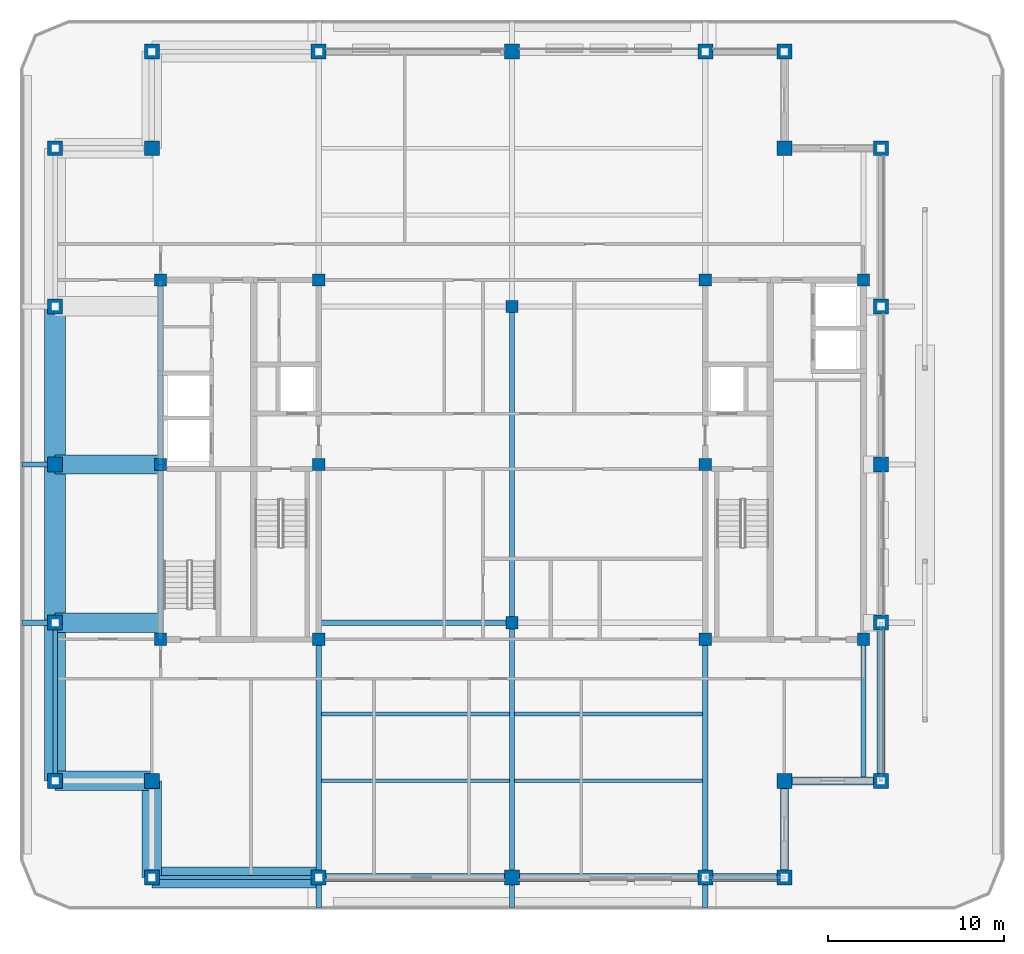
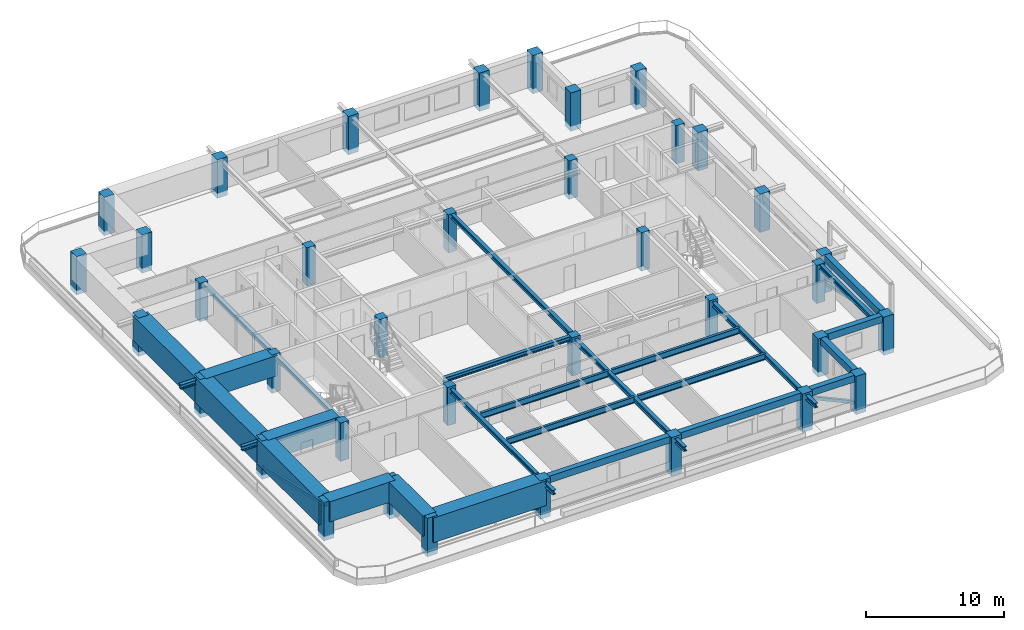
# One storey, part 1 of 14: 37 columns, 31 beams, 4 members.
"""IFC4 building model written with IfcOpenShell, lengths in metres."""

from ifc_helpers import new_model, si_unit, direction, frame, origin, origin_2d, place, context, subcontext, project, spatial, rectangle, hollow_rectangle, i_section, extrude, material, material_profile, profile_set, type_object, element, save


model = new_model("IFC4")

# Units and contexts
model_context = context("Model", 3, precision=1e-05, world=origin(), true_north=direction((0.0, 1.0)))
body_context = subcontext(model_context, "Body", "Model", "MODEL_VIEW")
ifc_project = project(units=[si_unit("LENGTHUNIT", "METRE"), si_unit("AREAUNIT", "SQUARE_METRE"), si_unit("VOLUMEUNIT", "CUBIC_METRE"), si_unit("PLANEANGLEUNIT", "RADIAN"), si_unit("MASSUNIT", "GRAM", prefix="KILO")], contexts=[model_context])

# Site, building, storey
site_placement = place(None, origin())
site = spatial("IfcSite", under=ifc_project, at=site_placement, CompositionType="ELEMENT")
building_placement = place(site_placement, origin())
building = spatial("IfcBuilding", under=site, at=building_placement, Name="Zulmaris Gate Convention Tower", CompositionType="ELEMENT")
storey_placement = place(building_placement, frame((0.0, 0.0, 254.429931640625)))
storey = spatial("IfcBuildingStorey", under=building, at=storey_placement, Name="L67", CompositionType="ELEMENT", Elevation=254.429931640625)

# Columns
ifc_material_1 = material(Name="Concrete C50/60", Category="concrete")
ifc_material_profile_1 = material_profile(ifc_material_1, rectangle(XDim=0.699951171875, YDim=0.699951171875, at=origin_2d()), Name="RC COL 700x700")
ifc_profile_set_1 = profile_set([ifc_material_profile_1], Name="Concrete C50/60")
column_type_1 = type_object("IfcColumnType", Name="COL-RC700", PredefinedType="COLUMN", material=ifc_profile_set_1)
for number, where, z_axis, x_axis, name in (
    (1, (-20.0, -9.949951171875, -0.425048828125), (0.0, 0.0, 1.0), (1.0, 0.0, 0.0), "L67 Column IN--20.00_-9.95"),
    (2, (-20.0, 10.5, -0.425048828125), (0.0, 0.0, 1.0), (1.0, 0.0, 0.0), "L67 Column IN--20.00_+10.50"),
    (3, (-11.0, -9.949951171875, -0.425048828125), (0.0, 0.0, 1.0), (1.0, 0.0, 0.0), "L67 Column IN--11.00_-9.95"),
    (4, (-11.0, 0.0, -0.425048828125), (0.0, 0.0, 1.0), (1.0, 0.0, 0.0), "L67 Column IN--11.00_+0.00"),
    (5, (-11.0, 10.5, -0.425048828125), (0.0, 0.0, 1.0), (1.0, 0.0, 0.0), "L67 Column IN--11.00_+10.50"),
    (6, (11.0, -9.949951171875, -0.425048828125), (0.0, 0.0, 1.0), (1.0, 0.0, 0.0), "L67 Column IN-+11.00_-9.95"),
    (7, (11.0, 0.0, -0.425048828125), (0.0, 0.0, 1.0), (1.0, 0.0, 0.0), "L67 Column IN-+11.00_+0.00"),
    (8, (11.0, 10.5, -0.425048828125), (0.0, 0.0, 1.0), (1.0, 0.0, 0.0), "L67 Column IN-+11.00_+10.50"),
    (9, (20.0, -9.949951171875, -0.425048828125), (0.0, 0.0, 1.0), (1.0, 0.0, 0.0), "L67 Column IN-+20.00_-9.95"),
    (10, (20.0, 10.5, -0.425048828125), (0.0, 0.0, 1.0), (1.0, 0.0, 0.0), "L67 Column IN-+20.00_+10.50"),
    (11, (0.0, -9.0, -0.425048828125), (0.0, 0.0, 1.0), (1.0, 0.0, 0.0), "L67 Column IN-+0.00_-9.00"),
    (12, (0.0, 9.0, -0.425048828125), (0.0, 0.0, 1.0), (1.0, 0.0, 0.0), "L67 Column IN-+0.00_+9.00"),
    (13, (-20.0, 0.0, -0.425048828125), (0.0, 0.0, 1.0), (1.0, 0.0, 0.0), "L67 Column IN--20.00_+0.00"),
):
    element("IfcColumn", number, at=place(storey_placement, frame(where, z_axis=z_axis, x_axis=x_axis)), inside=storey, type_object=column_type_1, Name=name, PredefinedType="COLUMN", context=body_context, shape_type="SweptSolid", body=[
        extrude(rectangle(XDim=0.699951171875, YDim=0.699951171875, at=origin_2d()), origin(), (0.0, 0.0, 1.0), 3.405029296875),
    ])
ifc_material_2 = material(Name="Concrete C60/75", Category="concrete")
ifc_material_profile_2 = material_profile(ifc_material_2, rectangle(XDim=0.85009765625, YDim=0.85009765625, at=origin_2d()), Name="RC COL 850x850")
ifc_profile_set_2 = profile_set([ifc_material_profile_2], Name="Concrete C60/75")
column_type_2 = type_object("IfcColumnType", Name="COL-RC850", PredefinedType="COLUMN", material=ifc_profile_set_2)
for number, where, z_axis, x_axis, name in (
    (14, (-20.5, -23.5, -0.425048828125), (0.0, 0.0, 1.0), (1.0, 0.0, 0.0), "L67 Column PT--20.50_-23.50"),
    (15, (-11.0, -23.5, -0.425048828125), (0.0, 0.0, 1.0), (1.0, 0.0, 0.0), "L67 Column PT--11.00_-23.50"),
    (16, (0.0, -23.5, -0.425048828125), (0.0, 0.0, 1.0), (1.0, 0.0, 0.0), "L67 Column PT-+0.00_-23.50"),
    (17, (11.0, -23.5, -0.425048828125), (0.0, 0.0, 1.0), (1.0, 0.0, 0.0), "L67 Column PT-+11.00_-23.50"),
    (18, (15.5, -23.5, -0.425048828125), (0.0, 0.0, 1.0), (1.0, 0.0, 0.0), "L67 Column PT-+15.50_-23.50"),
    (19, (-20.5, 23.5, -0.425048828125), (0.0, 0.0, 1.0), (1.0, 0.0, 0.0), "L67 Column PT--20.50_+23.50"),
    (20, (-11.0, 23.5, -0.425048828125), (0.0, 0.0, 1.0), (1.0, 0.0, 0.0), "L67 Column PT--11.00_+23.50"),
    (21, (0.0, 23.5, -0.425048828125), (0.0, 0.0, 1.0), (1.0, 0.0, 0.0), "L67 Column PT-+0.00_+23.50"),
    (22, (11.0, 23.5, -0.425048828125), (0.0, 0.0, 1.0), (1.0, 0.0, 0.0), "L67 Column PT-+11.00_+23.50"),
    (23, (15.5, 23.5, -0.425048828125), (0.0, 0.0, 1.0), (1.0, 0.0, 0.0), "L67 Column PT-+15.50_+23.50"),
    (24, (-26.0, -18.0, -0.425048828125), (0.0, 0.0, 1.0), (1.0, 0.0, 0.0), "L67 Column PT--26.00_-18.00"),
    (25, (-26.0, -9.0, -0.425048828125), (0.0, 0.0, 1.0), (1.0, 0.0, 0.0), "L67 Column PT--26.00_-9.00"),
    (26, (-26.0, 0.0, -0.425048828125), (0.0, 0.0, 1.0), (1.0, 0.0, 0.0), "L67 Column PT--26.00_+0.00"),
    (27, (-26.0, 9.0, -0.425048828125), (0.0, 0.0, 1.0), (1.0, 0.0, 0.0), "L67 Column PT--26.00_+9.00"),
    (28, (-26.0, 18.0, -0.425048828125), (0.0, 0.0, 1.0), (1.0, 0.0, 0.0), "L67 Column PT--26.00_+18.00"),
    (29, (21.0, -18.0, -0.425048828125), (0.0, 0.0, 1.0), (1.0, 0.0, 0.0), "L67 Column PT-+21.00_-18.00"),
    (30, (21.0, -9.0, -0.425048828125), (0.0, 0.0, 1.0), (1.0, 0.0, 0.0), "L67 Column PT-+21.00_-9.00"),
    (31, (21.0, 0.0, -0.425048828125), (0.0, 0.0, 1.0), (1.0, 0.0, 0.0), "L67 Column PT-+21.00_+0.00"),
    (32, (21.0, 9.0, -0.425048828125), (0.0, 0.0, 1.0), (1.0, 0.0, 0.0), "L67 Column PT-+21.00_+9.00"),
    (33, (21.0, 18.0, -0.425048828125), (0.0, 0.0, 1.0), (1.0, 0.0, 0.0), "L67 Column PT-+21.00_+18.00"),
    (34, (-20.5, -18.0, -0.425048828125), (0.0, 0.0, 1.0), (1.0, 0.0, 0.0), "L67 Column PT--20.50_-18.00"),
    (35, (15.5, -18.0, -0.425048828125), (0.0, 0.0, 1.0), (1.0, 0.0, 0.0), "L67 Column PT-+15.50_-18.00"),
    (36, (15.5, 18.0, -0.425048828125), (0.0, 0.0, 1.0), (1.0, 0.0, 0.0), "L67 Column PT-+15.50_+18.00"),
    (37, (-20.5, 18.0, -0.425048828125), (0.0, 0.0, 1.0), (1.0, 0.0, 0.0), "L67 Column PT--20.50_+18.00"),
):
    element("IfcColumn", number, at=place(storey_placement, frame(where, z_axis=z_axis, x_axis=x_axis)), inside=storey, type_object=column_type_2, Name=name, PredefinedType="COLUMN", context=body_context, shape_type="SweptSolid", body=[
        extrude(rectangle(XDim=0.85009765625, YDim=0.85009765625, at=origin_2d()), origin(), (0.0, 0.0, 1.0), 3.405029296875),
    ])

# Beams
ifc_material_3 = material(Name="Steel S355", Category="steel")
ifc_material_profile_3 = material_profile(ifc_material_3, i_section(OverallWidth=0.300048828125, OverallDepth=0.39990234375, WebThickness=0.013427734375, FlangeThickness=0.02392578125, FilletRadius=0.027099609375, at=origin_2d()), Name="HEB 400")
ifc_profile_set_3 = profile_set([ifc_material_profile_3], Name="Steel S355")
beam_type_1 = type_object("IfcBeamType", Name="BM-HEB400", PredefinedType="BEAM", material=ifc_profile_set_3)
for number, where, z_axis, x_axis, name in (
    (38, (-11.0, -25.199951171875, 2.60302734375), (0.0, 1.0, 0.0), (-1.0, 0.0, 0.0), "L67 Beam TBRK-L67-S--11"),
    (39, (0.0, -25.199951171875, 2.60302734375), (0.0, 1.0, 0.0), (-1.0, 0.0, 0.0), "L67 Beam TBRK-L67-S-+0"),
    (40, (11.0, -25.199951171875, 2.60302734375), (0.0, 1.0, 0.0), (-1.0, 0.0, 0.0), "L67 Beam TBRK-L67-S-+11"),
):
    element("IfcBeam", number, at=place(storey_placement, frame(where, z_axis=z_axis, x_axis=x_axis)), inside=storey, type_object=beam_type_1, Name=name, PredefinedType="BEAM", context=body_context, shape_type="SweptSolid", body=[
        extrude(i_section(OverallWidth=0.300048828125, OverallDepth=0.39990234375, WebThickness=0.013427734375, FlangeThickness=0.02392578125, FilletRadius=0.027099609375, at=origin_2d()), origin(), (0.0, 0.0, 1.0), 1.699951171875),
    ])
for number, where, z_axis, x_axis, name in (
    (41, (-27.89990234375, -9.0, 2.639892578125), (1.0, 0.0, 0.0), (0.0, 1.0, 0.0), "L67 Beam TBRK-L67-W--9"),
    (42, (-27.89990234375, 0.0, 2.639892578125), (1.0, 0.0, 0.0), (0.0, 1.0, 0.0), "L67 Beam TBRK-L67-W-+0"),
):
    element("IfcBeam", number, at=place(storey_placement, frame(where, z_axis=z_axis, x_axis=x_axis)), inside=storey, type_object=beam_type_1, Name=name, PredefinedType="BEAM", context=body_context, shape_type="SweptSolid", body=[
        extrude(i_section(OverallWidth=0.300048828125, OverallDepth=0.39990234375, WebThickness=0.013427734375, FlangeThickness=0.02392578125, FilletRadius=0.027099609375, at=origin_2d()), origin(), (0.0, 0.0, 1.0), 1.89990234375),
    ])
beam_1_placement = place(storey_placement, frame((-11.0, -9.0, 2.778076171875), z_axis=(1.0, 0.0, 0.0), x_axis=(0.0, 1.0, 0.0)))
element("IfcBeam", 43, at=beam_1_placement, inside=storey, type_object=beam_type_1, Name="L67 Beam BM-L67-G01", PredefinedType="BEAM", context=body_context, shape_type="SweptSolid", body=[
    extrude(i_section(OverallWidth=0.300048828125, OverallDepth=0.39990234375, WebThickness=0.013427734375, FlangeThickness=0.02392578125, FilletRadius=0.027099609375, at=origin_2d()), origin(), (0.0, 0.0, 1.0), 11.0),
])
beam_2_placement = place(storey_placement, frame((0.0, -23.5, 2.60302734375), z_axis=(0.0, 1.0, 0.0), x_axis=(-1.0, 0.0, 0.0)))
element("IfcBeam", 44, at=beam_2_placement, inside=storey, type_object=beam_type_1, Name="L67 Beam BM-L67-G05", PredefinedType="BEAM", context=body_context, shape_type="SweptSolid", body=[
    extrude(i_section(OverallWidth=0.300048828125, OverallDepth=0.39990234375, WebThickness=0.013427734375, FlangeThickness=0.02392578125, FilletRadius=0.027099609375, at=origin_2d()), origin(), (0.0, 0.0, 1.0), 14.5),
])
beam_3_placement = place(storey_placement, frame((0.0, -9.0, 2.778076171875), z_axis=(0.0, 1.0, 0.0), x_axis=(-1.0, 0.0, 0.0)))
element("IfcBeam", 45, at=beam_3_placement, inside=storey, type_object=beam_type_1, Name="L67 Beam BM-L67-G06", PredefinedType="BEAM", context=body_context, shape_type="SweptSolid", body=[
    extrude(i_section(OverallWidth=0.300048828125, OverallDepth=0.39990234375, WebThickness=0.013427734375, FlangeThickness=0.02392578125, FilletRadius=0.027099609375, at=origin_2d()), origin(), (0.0, 0.0, 1.0), 18.0),
])
for number, where, z_axis, x_axis, name in (
    (46, (-11.0, -23.5, 2.60302734375), (0.0, 1.0, 0.0), (-1.0, 0.0, 0.0), "L67 Beam BM-L67-G08"),
    (47, (11.0, -23.5, 2.60302734375), (0.0, 1.0, 0.0), (-1.0, 0.0, 0.0), "L67 Beam BM-L67-G10"),
):
    element("IfcBeam", number, at=place(storey_placement, frame(where, z_axis=z_axis, x_axis=x_axis)), inside=storey, type_object=beam_type_1, Name=name, PredefinedType="BEAM", context=body_context, shape_type="SweptSolid", body=[
        extrude(i_section(OverallWidth=0.300048828125, OverallDepth=0.39990234375, WebThickness=0.013427734375, FlangeThickness=0.02392578125, FilletRadius=0.027099609375, at=origin_2d()), origin(), (0.0, 0.0, 1.0), 13.550048828125),
    ])
beam_4_placement = place(storey_placement, frame((20.0, -18.0, 2.778076171875), z_axis=(0.0, 1.0, 0.0), x_axis=(-1.0, 0.0, 0.0)))
element("IfcBeam", 48, at=beam_4_placement, inside=storey, type_object=beam_type_1, Name="L67 Beam BM-L67-G14", PredefinedType="BEAM", context=body_context, shape_type="SweptSolid", body=[
    extrude(i_section(OverallWidth=0.300048828125, OverallDepth=0.39990234375, WebThickness=0.013427734375, FlangeThickness=0.02392578125, FilletRadius=0.027099609375, at=origin_2d()), origin(), (0.0, 0.0, 1.0), 8.050048828125),
])
beam_5_placement = place(storey_placement, frame((-20.0, -9.949951171875, 2.778076171875), z_axis=(0.0, 1.0, 0.0), x_axis=(-1.0, 0.0, 0.0)))
element("IfcBeam", 49, at=beam_5_placement, inside=storey, type_object=beam_type_1, Name="L67 Beam BM-L67-G26", PredefinedType="BEAM", context=body_context, shape_type="SweptSolid", body=[
    extrude(i_section(OverallWidth=0.300048828125, OverallDepth=0.39990234375, WebThickness=0.013427734375, FlangeThickness=0.02392578125, FilletRadius=0.027099609375, at=origin_2d()), origin(), (0.0, 0.0, 1.0), 9.949951171875),
])
beam_6_placement = place(storey_placement, frame((-20.0, 0.0, 2.778076171875), z_axis=(0.0, 1.0, 0.0), x_axis=(-1.0, 0.0, 0.0)))
element("IfcBeam", 50, at=beam_6_placement, inside=storey, type_object=beam_type_1, Name="L67 Beam BM-L67-G27", PredefinedType="BEAM", context=body_context, shape_type="SweptSolid", body=[
    extrude(i_section(OverallWidth=0.300048828125, OverallDepth=0.39990234375, WebThickness=0.013427734375, FlangeThickness=0.02392578125, FilletRadius=0.027099609375, at=origin_2d()), origin(), (0.0, 0.0, 1.0), 10.5),
])
ifc_material_4 = material(Name="Precast concrete C50/60", Category="concrete")
ifc_material_profile_4 = material_profile(ifc_material_4, rectangle(XDim=0.449951171875, YDim=0.60009765625, at=origin_2d()), Name="RC SPANDREL 450x600")
ifc_profile_set_4 = profile_set([ifc_material_profile_4], Name="Precast concrete C50/60")
beam_type_2 = type_object("IfcBeamType", Name="BM-SP450x600", PredefinedType="SPANDREL", material=ifc_profile_set_4)
for number, where, z_axis, x_axis, name in (
    (51, (-11.0, -23.5, 2.679931640625), (1.0, 0.0, 0.0), (0.0, 1.0, 0.0), "L67 Spandrel SP-L67-02"),
    (52, (0.0, -23.5, 2.679931640625), (1.0, 0.0, 0.0), (0.0, 1.0, 0.0), "L67 Spandrel SP-L67-03"),
):
    element("IfcBeam", number, at=place(storey_placement, frame(where, z_axis=z_axis, x_axis=x_axis)), inside=storey, type_object=beam_type_2, Name=name, PredefinedType="SPANDREL", context=body_context, shape_type="SweptSolid", body=[
        extrude(rectangle(XDim=0.449951171875, YDim=0.60009765625, at=origin_2d()), origin(), (0.0, 0.0, 1.0), 11.0),
    ])
beam_7_placement = place(storey_placement, frame((11.0, -23.5, 2.679931640625), z_axis=(1.0, 0.0, 0.0), x_axis=(0.0, 1.0, 0.0)))
element("IfcBeam", 53, at=beam_7_placement, inside=storey, type_object=beam_type_2, Name="L67 Spandrel SP-L67-04", PredefinedType="SPANDREL", context=body_context, shape_type="SweptSolid", body=[
    extrude(rectangle(XDim=0.449951171875, YDim=0.60009765625, at=origin_2d()), origin(), (0.0, 0.0, 1.0), 4.5),
])
for number, where, z_axis, x_axis, name in (
    (54, (15.5, -23.5, 2.679931640625), (0.0, 1.0, 0.0), (-1.0, 0.0, 0.0), "L67 Spandrel SP-L67-05"),
    (55, (15.5, -18.0, 2.679931640625), (1.0, 0.0, 0.0), (0.0, 1.0, 0.0), "L67 Spandrel SP-L67-06"),
):
    element("IfcBeam", number, at=place(storey_placement, frame(where, z_axis=z_axis, x_axis=x_axis)), inside=storey, type_object=beam_type_2, Name=name, PredefinedType="SPANDREL", context=body_context, shape_type="SweptSolid", body=[
        extrude(rectangle(XDim=0.449951171875, YDim=0.60009765625, at=origin_2d()), origin(), (0.0, 0.0, 1.0), 5.5),
    ])
beam_8_placement = place(storey_placement, frame((21.0, -18.0, 2.679931640625), z_axis=(0.0, 1.0, 0.0), x_axis=(-1.0, 0.0, 0.0)))
element("IfcBeam", 56, at=beam_8_placement, inside=storey, type_object=beam_type_2, Name="L67 Spandrel SP-L67-07", PredefinedType="SPANDREL", context=body_context, shape_type="SweptSolid", body=[
    extrude(rectangle(XDim=0.449951171875, YDim=0.60009765625, at=origin_2d()), origin(), (0.0, 0.0, 1.0), 9.0),
])
ifc_material_5 = material(Name="Concrete C80/95", Category="concrete")
ifc_material_profile_5 = material_profile(ifc_material_5, rectangle(XDim=1.10009765625, YDim=1.800048828125, at=origin_2d()), Name="RC TRANSFER 1100x1800")
ifc_profile_set_5 = profile_set([ifc_material_profile_5], Name="Concrete C80/95")
beam_type_3 = type_object("IfcBeamType", Name="BM-XFER1800", PredefinedType="BEAM", material=ifc_profile_set_5)
for number, where, z_axis, x_axis, name in (
    (57, (-26.0, -18.0, 2.080078125), (1.0, 0.0, 0.0), (0.0, 1.0, 0.0), "L67 Beam SP-L67-23"),
    (58, (-20.5, -18.0, 2.080078125), (0.0, -1.0, 0.0), (1.0, 0.0, 0.0), "L67 Beam SP-L67-24"),
):
    element("IfcBeam", number, at=place(storey_placement, frame(where, z_axis=z_axis, x_axis=x_axis)), inside=storey, type_object=beam_type_3, Name=name, PredefinedType="BEAM", context=body_context, shape_type="SweptSolid", body=[
        extrude(rectangle(XDim=1.10009765625, YDim=1.800048828125, at=origin_2d()), origin(), (0.0, 0.0, 1.0), 5.5),
    ])
for number, where, z_axis, x_axis, name in (
    (59, (-26.0, -9.0, 2.080078125), (1.0, 0.0, 0.0), (0.0, 1.0, 0.0), "L67 Beam BM-L67-G16"),
    (60, (-26.0, 0.0, 2.080078125), (1.0, 0.0, 0.0), (0.0, 1.0, 0.0), "L67 Beam BM-L67-G17"),
):
    element("IfcBeam", number, at=place(storey_placement, frame(where, z_axis=z_axis, x_axis=x_axis)), inside=storey, type_object=beam_type_3, Name=name, PredefinedType="BEAM", context=body_context, shape_type="SweptSolid", body=[
        extrude(rectangle(XDim=1.10009765625, YDim=1.800048828125, at=origin_2d()), origin(), (0.0, 0.0, 1.0), 6.0),
    ])
ifc_material_profile_6 = material_profile(ifc_material_5, rectangle(XDim=1.199951171875, YDim=2.199951171875, at=origin_2d()), Name="RC TRANSFER 1200x2200")
ifc_profile_set_6 = profile_set([ifc_material_profile_6], Name="Concrete C80/95")
beam_type_4 = type_object("IfcBeamType", Name="BM-XFER2200", PredefinedType="BEAM", material=ifc_profile_set_6)
beam_9_placement = place(storey_placement, frame((-20.5, -23.5, 1.8798828125), z_axis=(1.0, 0.0, 0.0), x_axis=(0.0, 1.0, 0.0)))
element("IfcBeam", 61, at=beam_9_placement, inside=storey, type_object=beam_type_4, Name="L67 Beam SP-L67-01", PredefinedType="BEAM", context=body_context, shape_type="SweptSolid", body=[
    extrude(rectangle(XDim=1.199951171875, YDim=2.199951171875, at=origin_2d()), origin(), (0.0, 0.0, 1.0), 9.5),
])
for number, where, z_axis, x_axis, name in (
    (62, (-26.0, 9.0, 1.8798828125), (0.0, -1.0, 0.0), (1.0, 0.0, 0.0), "L67 Beam SP-L67-20"),
    (63, (-26.0, 0.0, 1.8798828125), (0.0, -1.0, 0.0), (1.0, 0.0, 0.0), "L67 Beam SP-L67-21"),
    (64, (-26.0, -9.0, 1.8798828125), (0.0, -1.0, 0.0), (1.0, 0.0, 0.0), "L67 Beam SP-L67-22"),
):
    element("IfcBeam", number, at=place(storey_placement, frame(where, z_axis=z_axis, x_axis=x_axis)), inside=storey, type_object=beam_type_4, Name=name, PredefinedType="BEAM", context=body_context, shape_type="SweptSolid", body=[
        extrude(rectangle(XDim=1.199951171875, YDim=2.199951171875, at=origin_2d()), origin(), (0.0, 0.0, 1.0), 9.0),
    ])

# Members
ifc_material_profile_7 = material_profile(ifc_material_3, hollow_rectangle(XDim=0.25, YDim=0.25, WallThickness=0.012451171875, at=origin_2d()), Name="SHS 250x250x12.5")
ifc_profile_set_7 = profile_set([ifc_material_profile_7], Name="Steel S355")
member_type = type_object("IfcMemberType", Name="BR-SHS250", PredefinedType="BRACE", material=ifc_profile_set_7)
for number, where, z_axis, x_axis, name in (
    (65, (-26.0, -9.0, 0.300048828125), (0.0, -0.974795611755, 0.223099787771), (1.0, 0.0, 0.0), "L67 Perimeter Tube Diagonal SW-W"),
    (66, (21.0, -9.0, 0.300048828125), (0.0, -0.974795611755, 0.223099787771), (1.0, 0.0, 0.0), "L67 Perimeter Tube Diagonal SE-E"),
):
    element("IfcMember", number, at=place(storey_placement, frame(where, z_axis=z_axis, x_axis=x_axis)), inside=storey, type_object=member_type, Name=name, PredefinedType="BRACE", context=body_context, shape_type="SweptSolid", body=[
        extrude(hollow_rectangle(XDim=0.25, YDim=0.25, WallThickness=0.012451171875, at=origin_2d()), origin(), (0.0, 0.0, 1.0), 9.232666015625),
    ])
member_1_placement = place(storey_placement, frame((-11.0, -23.5, 0.300048828125), z_axis=(-0.977291596632, 0.0, 0.211898879543), x_axis=(0.0, -1.0, 0.0)))
element("IfcMember", 67, at=member_1_placement, inside=storey, type_object=member_type, Name="L67 Perimeter Tube Diagonal SW-S", PredefinedType="BRACE", context=body_context, shape_type="SweptSolid", body=[
    extrude(hollow_rectangle(XDim=0.25, YDim=0.25, WallThickness=0.012451171875, at=origin_2d()), origin(), (0.0, 0.0, 1.0), 9.720703125),
])
member_2_placement = place(storey_placement, frame((15.5, -23.5, 0.300048828125), z_axis=(-0.909270246609, 0.0, 0.41620622128), x_axis=(0.0, -1.0, 0.0)))
element("IfcMember", 68, at=member_2_placement, inside=storey, type_object=member_type, Name="L67 Perimeter Tube Diagonal SE-S", PredefinedType="BRACE", context=body_context, shape_type="SweptSolid", body=[
    extrude(hollow_rectangle(XDim=0.25, YDim=0.25, WallThickness=0.012451171875, at=origin_2d()), origin(), (0.0, 0.0, 1.0), 4.948974609375),
])

# Beams
ifc_material_profile_8 = material_profile(ifc_material_3, i_section(OverallWidth=0.2099609375, OverallDepth=0.550048828125, WebThickness=0.010986328125, FlangeThickness=0.01708984375, FilletRadius=0.02392578125, at=origin_2d()), Name="IPE 550")
ifc_profile_set_8 = profile_set([ifc_material_profile_8], Name="Steel S355")
beam_type_5 = type_object("IfcBeamType", Name="JT-IPE550", PredefinedType="JOIST", material=ifc_profile_set_8)
for number, where, z_axis, x_axis, name in (
    (69, (-10.85009765625, -18.0, 2.702880859375), (1.0, 0.0, 0.0), (0.0, 1.0, 0.0), "L67 Joist JT-L67-CW--18.0"),
    (70, (0.14990234375, -18.0, 2.702880859375), (1.0, 0.0, 0.0), (0.0, 1.0, 0.0), "L67 Joist JT-L67-CE--18.0"),
    (71, (-10.85009765625, -14.199951171875, 2.702880859375), (1.0, 0.0, 0.0), (0.0, 1.0, 0.0), "L67 Joist JT-L67-CW--14.2"),
    (72, (0.14990234375, -14.199951171875, 2.702880859375), (1.0, 0.0, 0.0), (0.0, 1.0, 0.0), "L67 Joist JT-L67-CE--14.2"),
):
    element("IfcBeam", number, at=place(storey_placement, frame(where, z_axis=z_axis, x_axis=x_axis)), inside=storey, type_object=beam_type_5, Name=name, PredefinedType="JOIST", context=body_context, shape_type="SweptSolid", body=[
        extrude(i_section(OverallWidth=0.2099609375, OverallDepth=0.550048828125, WebThickness=0.010986328125, FlangeThickness=0.01708984375, FilletRadius=0.02392578125, at=origin_2d()), origin(), (0.0, 0.0, 1.0), 10.7001953125),
    ])

save(model, "model.ifc")
